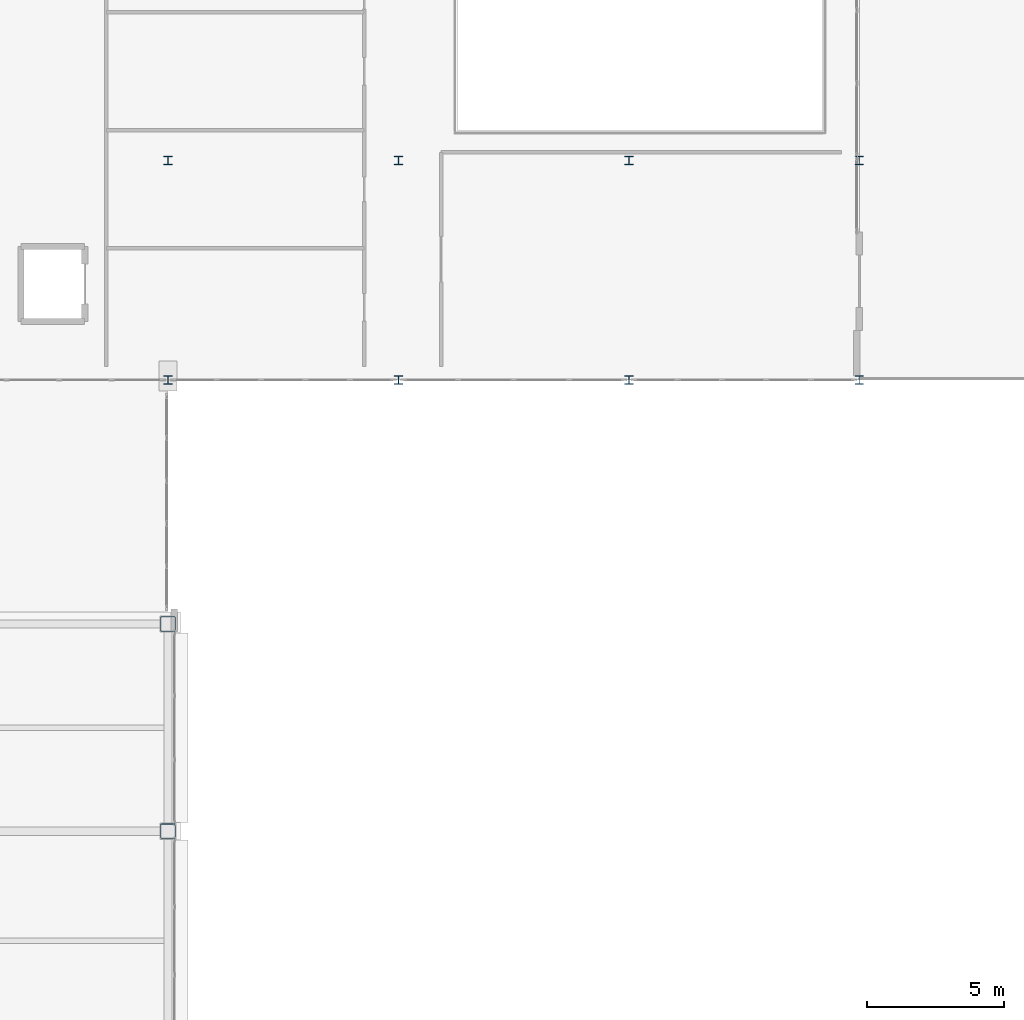
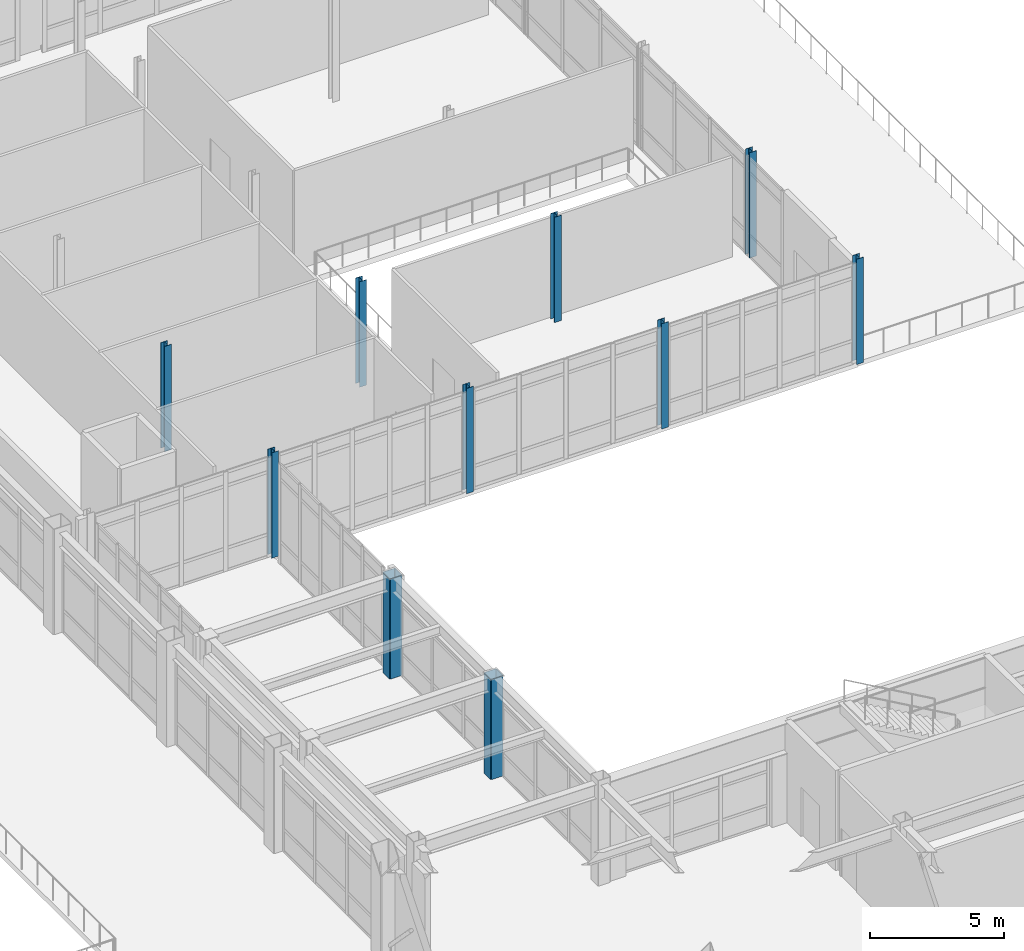
# One storey, part 10 of 154: 10 columns.
"""IFC4 building model written with IfcOpenShell, lengths in metres."""

from ifc_helpers import new_model, si_unit, direction, frame, origin, origin_2d, place, context, subcontext, project, spatial, hollow_rectangle, i_section, extrude, material, material_profile, profile_set, type_object, element, save


model = new_model("IFC4")

# Units and contexts
model_context = context("Model", 3, precision=1e-05, world=origin(), true_north=direction((0.0, 1.0)))
body_context = subcontext(model_context, "Body", "Model", "MODEL_VIEW")
ifc_project = project(units=[si_unit("LENGTHUNIT", "METRE"), si_unit("AREAUNIT", "SQUARE_METRE"), si_unit("VOLUMEUNIT", "CUBIC_METRE"), si_unit("PLANEANGLEUNIT", "RADIAN"), si_unit("MASSUNIT", "GRAM", prefix="KILO")], contexts=[model_context])

# Site, building, storey
site_placement = place(None, origin())
site = spatial("IfcSite", under=ifc_project, at=site_placement, CompositionType="ELEMENT")
building_placement = place(site_placement, origin())
building = spatial("IfcBuilding", under=site, at=building_placement, Name="Kazehara Bluff Congress Hotel", CompositionType="ELEMENT")
storey_placement = place(building_placement, frame((0.0, 0.0, 10.199951171875)))
storey = spatial("IfcBuildingStorey", under=building, at=storey_placement, Name="L02", CompositionType="ELEMENT", Elevation=10.199951171875)

# Columns
ifc_material_1 = material(Name="Steel BCR295", Category="steel")
ifc_material_profile_1 = material_profile(ifc_material_1, hollow_rectangle(XDim=0.550048828125, YDim=0.550048828125, WallThickness=0.02197265625, InnerFilletRadius=0.02197265625, OuterFilletRadius=0.0439453125, at=origin_2d()))
ifc_profile_set_1 = profile_set([ifc_material_profile_1], Name="Steel BCR295")
column_type_1 = type_object("IfcColumnType", Name="TP-C-06", PredefinedType="COLUMN", material=ifc_profile_set_1)
for number, where, z_axis, x_axis, name in (
    (1, (67.64990234375, 64.449951171875, 0.0), (0.0, 0.0, 1.0), (1.0, 0.0, 0.0), "L02 column C-06 (67.65,64.45)"),
    (2, (67.64990234375, 72.0, 0.0), (0.0, 0.0, 1.0), (1.0, 0.0, 0.0), "L02 column C-06 (67.65,72.00)"),
):
    element("IfcColumn", number, at=place(storey_placement, frame(where, z_axis=z_axis, x_axis=x_axis)), inside=storey, type_object=column_type_1, Name=name, PredefinedType="COLUMN", context=body_context, shape_type="SweptSolid", body=[
        extrude(hollow_rectangle(XDim=0.550048828125, YDim=0.550048828125, WallThickness=0.02197265625, InnerFilletRadius=0.02197265625, OuterFilletRadius=0.0439453125, at=origin_2d()), origin(), (0.0, 0.0, 1.0), 4.56005859375),
    ])
ifc_material_2 = material(Name="Steel SN400B", Category="steel")
ifc_material_profile_2 = material_profile(ifc_material_2, i_section(OverallWidth=0.300048828125, OverallDepth=0.300048828125, WebThickness=0.010009765625, FlangeThickness=0.014892578125, FilletRadius=0.012939453125, at=origin_2d()))
ifc_profile_set_2 = profile_set([ifc_material_profile_2], Name="Steel SN400B")
column_type_2 = type_object("IfcColumnType", Name="TP-C-11", PredefinedType="COLUMN", material=ifc_profile_set_2)
for number, where, z_axis, x_axis, name in (
    (3, (67.64990234375, 80.89990234375, 0.0), (0.0, 0.0, 1.0), (1.0, 0.0, 0.0), "L02 column C-11 (67.65,80.90)"),
    (4, (67.64990234375, 88.89990234375, 0.0), (0.0, 0.0, 1.0), (1.0, 0.0, 0.0), "L02 column C-11 (67.65,88.90)"),
    (5, (76.050048828125, 80.89990234375, 0.0), (0.0, 0.0, 1.0), (1.0, 0.0, 0.0), "L02 column C-11 (76.05,80.90)"),
    (6, (76.050048828125, 88.89990234375, 0.0), (0.0, 0.0, 1.0), (1.0, 0.0, 0.0), "L02 column C-11 (76.05,88.90)"),
    (7, (84.449951171875, 80.89990234375, 0.0), (0.0, 0.0, 1.0), (1.0, 0.0, 0.0), "L02 column C-11 (84.45,80.90)"),
    (8, (84.449951171875, 88.89990234375, 0.0), (0.0, 0.0, 1.0), (1.0, 0.0, 0.0), "L02 column C-11 (84.45,88.90)"),
    (9, (92.85009765625, 80.89990234375, 0.0), (0.0, 0.0, 1.0), (1.0, 0.0, 0.0), "L02 column C-11 (92.85,80.90)"),
    (10, (92.85009765625, 88.89990234375, 0.0), (0.0, 0.0, 1.0), (1.0, 0.0, 0.0), "L02 column C-11 (92.85,88.90)"),
):
    element("IfcColumn", number, at=place(storey_placement, frame(where, z_axis=z_axis, x_axis=x_axis)), inside=storey, type_object=column_type_2, Name=name, PredefinedType="COLUMN", context=body_context, shape_type="SweptSolid", body=[
        extrude(i_section(OverallWidth=0.300048828125, OverallDepth=0.300048828125, WebThickness=0.010009765625, FlangeThickness=0.014892578125, FilletRadius=0.012939453125, at=origin_2d()), origin(), (0.0, 0.0, 1.0), 4.800048828125),
    ])

save(model, "model.ifc")
